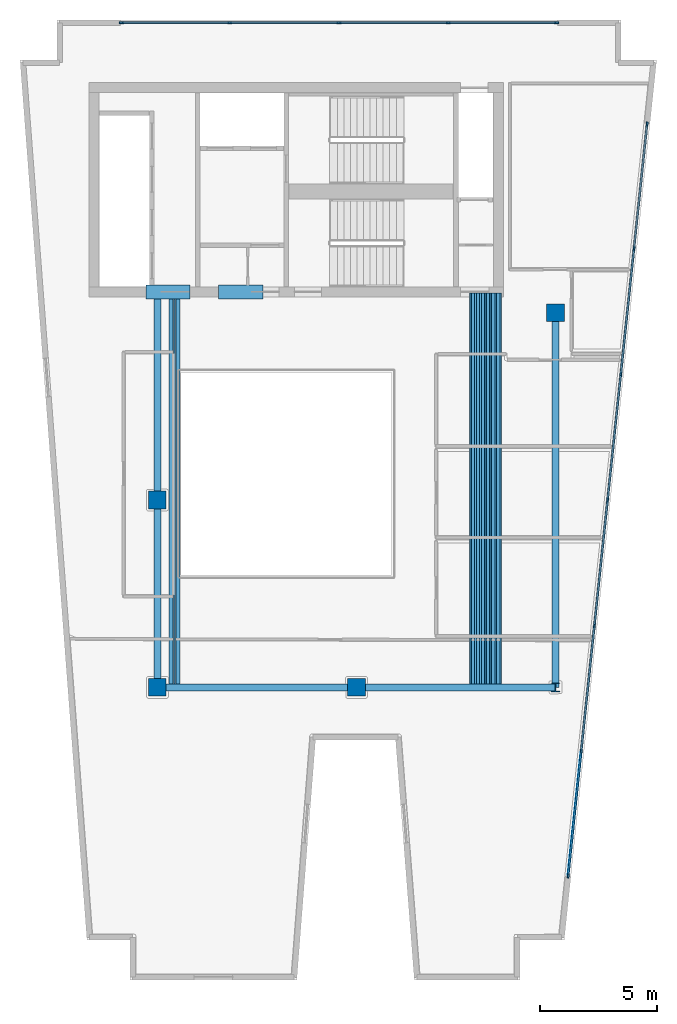
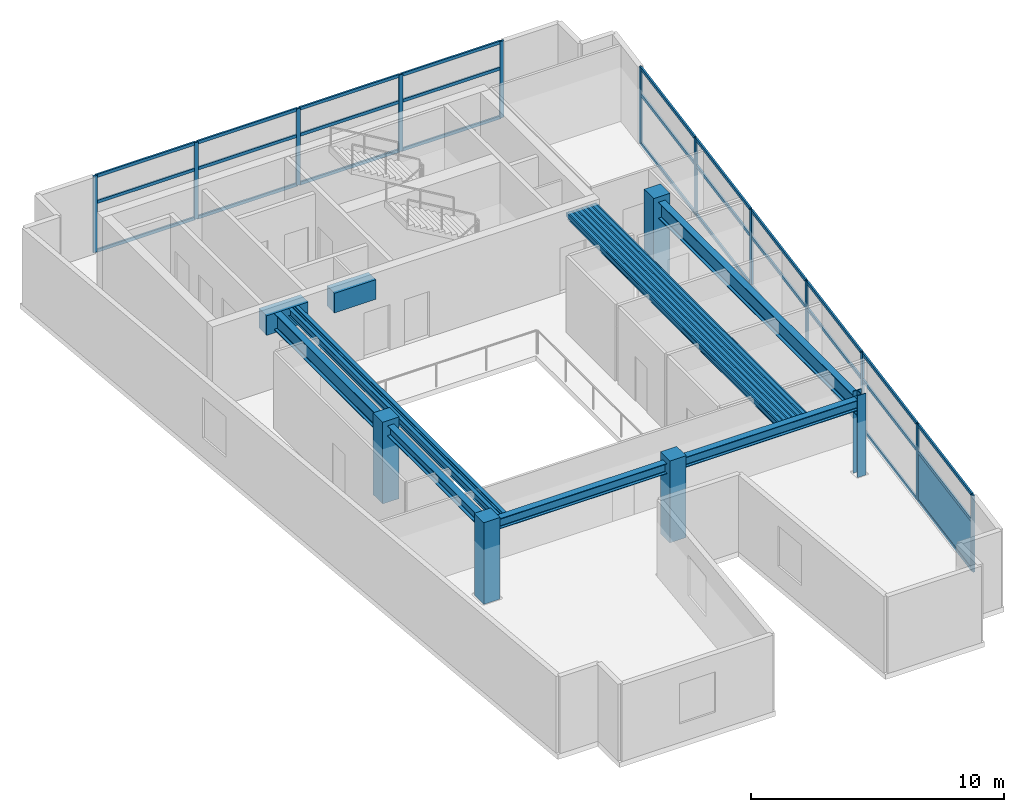
# One storey, part 1 of 6: 42 members, 23 beams, 5 columns, 1 plate, 2 elements without a shape of their own.
"""IFC4 building model written with IfcOpenShell, lengths in metres."""

import ifcopenshell
import ifcopenshell.guid

model = None  # the IFC model being written
_history = None  # IfcOwnerHistory: only IFC2X3 demands one
_inside = {}  # id of a spatial element -> (the spatial element, [elements in it])
_under = {}  # id of a project, library or spatial element -> (it, [spatial elements below it])
_declared = {}  # id of a project -> (the project, [libraries it declares])
_typed = {}  # id of a type object -> (the type object, [elements of that type])
_made_of = {}  # id of a material, layer set ... -> (it, [elements and type objects made of it])


def new_model(schema):
    """Start an empty IFC model of exactly this schema.

    Asked for "IFC4X3", IfcOpenShell would pick the latest addendum, in which some entities
    have other attributes; the version numbers below select the first issue.
    IFC2X3 requires an IfcOwnerHistory on every rooted entity: one is made here for all.
    """
    global model, _history
    if schema == "IFC4X3":
        model = ifcopenshell.file(schema_version=(4, 3, 0, 0))
    else:
        model = ifcopenshell.file(schema=schema)
    _inside.clear()
    _under.clear()
    _declared.clear()
    _typed.clear()
    _made_of.clear()
    _history = None
    if model.schema == "IFC2X3":
        org = make("IfcOrganization", Name="unknown")
        user = make(
            "IfcPersonAndOrganization",
            ThePerson=make("IfcPerson", FamilyName="unknown"),
            TheOrganization=org,
        )
        app = make(
            "IfcApplication",
            ApplicationDeveloper=org,
            Version="unknown",
            ApplicationFullName="unknown",
            ApplicationIdentifier="unknown",
        )
        _history = make(
            "IfcOwnerHistory",
            OwningUser=user,
            OwningApplication=app,
            ChangeAction="ADDED",
            CreationDate=0,
        )
    return model


def make(cls, **values):
    """One entity of the class cls with the attributes given. An attribute that is None is left unset."""
    return model.create_entity(
        cls, **{name: value for name, value in values.items() if value is not None}
    )


def rooted(cls, **values):
    """An entity with a GlobalId (a new one), such as an element, a storey or a relation."""
    return make(cls, GlobalId=ifcopenshell.guid.new(), OwnerHistory=_history, **values)


def si_unit(unit_type, name, prefix=None):
    """IfcSIUnit, for example si_unit("LENGTHUNIT", "METRE", prefix="MILLI")."""
    return make("IfcSIUnit", UnitType=unit_type, Prefix=prefix, Name=name)


def assignment(units):
    """IfcUnitAssignment: the units of a project."""
    return None if units is None else make("IfcUnitAssignment", Units=units)


def point(xyz):
    """IfcCartesianPoint."""
    return None if xyz is None else make("IfcCartesianPoint", Coordinates=xyz)


def direction(xyz):
    """IfcDirection."""
    return None if xyz is None else make("IfcDirection", DirectionRatios=xyz)


def frame(location, z_axis=None, x_axis=None):
    """IfcAxis2Placement3D, a coordinate frame: its origin and axes. An axis left out is left unset."""
    return make(
        "IfcAxis2Placement3D",
        Location=point(location),
        Axis=direction(z_axis),
        RefDirection=direction(x_axis),
    )


def frame_2d(location, x_axis=None):
    """IfcAxis2Placement2D, a coordinate frame in the plane: its origin and x axis."""
    return make(
        "IfcAxis2Placement2D", Location=point(location), RefDirection=direction(x_axis)
    )


def origin():
    """The frame at (0, 0, 0) with its axes left unset."""
    return frame((0.0, 0.0, 0.0))


def origin_2d():
    """The frame at (0, 0) in the plane with its x axis left unset."""
    return frame_2d((0.0, 0.0))


def place(relative_to, where):
    """IfcLocalPlacement: puts the frame where relative to a parent placement (None: the world)."""
    return make(
        "IfcLocalPlacement", PlacementRelTo=relative_to, RelativePlacement=where
    )


def context(
    kind, dimensions, precision=None, world=None, true_north=None, identifier=None
):
    """IfcGeometricRepresentationContext, for example the 3D "Model" context."""
    return make(
        "IfcGeometricRepresentationContext",
        ContextIdentifier=identifier,
        ContextType=kind,
        CoordinateSpaceDimension=dimensions,
        Precision=precision,
        WorldCoordinateSystem=world,
        TrueNorth=true_north,
    )


def subcontext(parent, identifier, kind, view, scale=None):
    """IfcGeometricRepresentationSubContext, for example "Body" below "Model"."""
    return make(
        "IfcGeometricRepresentationSubContext",
        ContextIdentifier=identifier,
        ContextType=kind,
        ParentContext=parent,
        TargetScale=scale,
        TargetView=view,
    )


def project(units=None, contexts=None):
    """IfcProject with its units and contexts."""
    return rooted(
        "IfcProject",
        Name="project",
        RepresentationContexts=contexts,
        UnitsInContext=assignment(units),
    )


def spatial(cls, under=None, at=None, **own):
    """A site, building, storey or space (cls), placed at a placement, below another one or the project."""
    s = rooted(cls, ObjectPlacement=at, **own)
    if under is not None:
        _under.setdefault(under.id(), (under, []))[1].append(s)
    return s


def profile(cls, at=None, kind="AREA", **sizes):
    """A parametric profile (cls). Its sizes go by their IFC names, for example OverallWidth=200.0."""
    return make(cls, ProfileType=kind, Position=at, **sizes)


def rectangle(**sizes):
    """IfcRectangleProfileDef."""
    return profile("IfcRectangleProfileDef", **sizes)


def hollow_rectangle(**sizes):
    """IfcRectangleHollowProfileDef."""
    return profile("IfcRectangleHollowProfileDef", **sizes)


def i_section(**sizes):
    """IfcIShapeProfileDef."""
    return profile("IfcIShapeProfileDef", **sizes)


def extrude(swept, where, along, depth):
    """IfcExtrudedAreaSolid: the profile swept, set in the frame where, extruded along a direction by depth."""
    return make(
        "IfcExtrudedAreaSolid",
        SweptArea=swept,
        Position=where,
        ExtrudedDirection=direction(along),
        Depth=depth,
    )


def shape(context_of_items, identifier, shape_type, items):
    """IfcShapeRepresentation: the items that make up one representation, for example the "Body"."""
    return make(
        "IfcShapeRepresentation",
        ContextOfItems=context_of_items,
        RepresentationIdentifier=identifier,
        RepresentationType=shape_type,
        Items=items,
    )


def material(Name=None, Category=None):
    """IfcMaterial."""
    return make("IfcMaterial", Name=Name, Category=Category)


def layer(
    of_material, thickness, ventilated=None, Name=None, Category=None, Priority=None
):
    """IfcMaterialLayer: one layer of a wall or slab, of a material (None: an air gap)."""
    return make(
        "IfcMaterialLayer",
        Material=of_material,
        LayerThickness=thickness,
        IsVentilated=ventilated,
        Name=Name,
        Category=Category,
        Priority=Priority,
    )


def layer_set(layers, Name=None):
    """IfcMaterialLayerSet."""
    return make("IfcMaterialLayerSet", MaterialLayers=layers, LayerSetName=Name)


def material_profile(
    of_material, cross_section, Name=None, Category=None, Priority=None
):
    """IfcMaterialProfile: a cross section and its material."""
    return make(
        "IfcMaterialProfile",
        Name=Name,
        Material=of_material,
        Profile=cross_section,
        Priority=Priority,
        Category=Category,
    )


def profile_set(profiles, Name=None, composite=None):
    """IfcMaterialProfileSet."""
    return make(
        "IfcMaterialProfileSet",
        Name=Name,
        MaterialProfiles=profiles,
        CompositeProfile=composite,
    )


def made_of(thing, what):
    """Note that an element or type object is made of a material, layer set ...; save() writes the relation."""
    if what is not None:
        _made_of.setdefault(what.id(), (what, []))[1].append(thing)
    return thing


def type_object(cls, material=None, **own):
    """A type object (cls), such as IfcWallType, which elements share."""
    return made_of(rooted(cls, **own), material)


def element(
    cls,
    number,
    at=None,
    inside=None,
    cuts=None,
    type_object=None,
    material=None,
    context=None,
    identifier="Body",
    shape_type=None,
    held_by="IfcProductDefinitionShape",
    body=None,
    shapes=None,
    **own,
):
    """One element of the class cls, such as IfcWall. Its Tag is "e" and its number.

    at: its placement. inside: the storey or other place that contains it. cuts: it is an
    opening in that element (IfcRelVoidsElement). A single representation is given by context,
    identifier, shape_type and body (its items); several are given by shapes. held_by: the class
    of the entity that holds the representations. save() writes the other relations.
    """
    e = rooted(cls, Tag="e%d" % number, ObjectPlacement=at, **own)
    if body is not None:
        shapes = [shape(context, identifier, shape_type, body)]
    if shapes is not None:
        e.Representation = make(held_by, Representations=shapes)
    if inside is not None:
        _inside.setdefault(inside.id(), (inside, []))[1].append(e)
    if cuts is not None:
        rooted(
            "IfcRelVoidsElement", RelatingBuildingElement=cuts, RelatedOpeningElement=e
        )
    if type_object is not None:
        _typed.setdefault(type_object.id(), (type_object, []))[1].append(e)
    return made_of(e, material)


def aggregate(whole, parts):
    """IfcRelAggregates: a whole, such as a stair, and the parts it consists of."""
    return rooted("IfcRelAggregates", RelatingObject=whole, RelatedObjects=parts)


def save(model, path):
    """Write the relations noted so far, then the file.

    IfcRelAggregates (storeys below a building ...), IfcRelContainedInSpatialStructure (elements
    in a storey), IfcRelDefinesByType, IfcRelAssociatesMaterial and IfcRelDeclares: one each for
    every whole, place, type object, material and project.
    """
    for whole, parts in _under.values():
        aggregate(whole, parts)
    for where, things in _inside.values():
        rooted(
            "IfcRelContainedInSpatialStructure",
            RelatedElements=things,
            RelatingStructure=where,
        )
    for kind, things in _typed.values():
        rooted("IfcRelDefinesByType", RelatedObjects=things, RelatingType=kind)
    for what, things in _made_of.values():
        rooted("IfcRelAssociatesMaterial", RelatedObjects=things, RelatingMaterial=what)
    for by, libraries in _declared.values():
        rooted("IfcRelDeclares", RelatingContext=by, RelatedDefinitions=libraries)
    model.write(path)


model = new_model("IFC4")

# Units and contexts
model_context = context("Model", 3, precision=1e-05, world=origin(), true_north=direction((0.0, 1.0)))
body_context = subcontext(model_context, "Body", "Model", "MODEL_VIEW")
ifc_project = project(units=[si_unit("LENGTHUNIT", "METRE"), si_unit("AREAUNIT", "SQUARE_METRE"), si_unit("VOLUMEUNIT", "CUBIC_METRE"), si_unit("PLANEANGLEUNIT", "RADIAN"), si_unit("MASSUNIT", "GRAM", prefix="KILO")], contexts=[model_context])

# Site, building, storey
site_placement = place(None, origin())
site = spatial("IfcSite", under=ifc_project, at=site_placement, CompositionType="ELEMENT")
building_placement = place(site_placement, origin())
building = spatial("IfcBuilding", under=site, at=building_placement, Name="Caeloran Harvest Quay", CompositionType="ELEMENT")
storey_placement = place(building_placement, frame((0.0, 0.0, 292.25)))
storey = spatial("IfcBuildingStorey", under=building, at=storey_placement, Name="L70", CompositionType="ELEMENT", Elevation=292.25)

# Columns
ifc_material_1 = material(Name="Concrete C60/75", Category="concrete")
ifc_material_profile_1 = material_profile(ifc_material_1, rectangle(XDim=0.75, YDim=0.75, at=origin_2d()), Name="RC 750x750")
ifc_profile_set_1 = profile_set([ifc_material_profile_1], Name="Concrete C60/75")
column_type_1 = type_object("IfcColumnType", Name="COL-MC-5-RC_750x750", PredefinedType="COLUMN", material=ifc_profile_set_1)
for number, where, z_axis, x_axis, name in (
    (1, (8.5, 15.0, 0.0), (0.0, 0.0, 1.0), (1.0, 0.0, 0.0), "L70 Structural Column (8.5, 15.0)"),
    (2, (8.5, 23.0, 0.0), (0.0, 0.0, 1.0), (1.0, 0.0, 0.0), "L70 Structural Column (8.5, 23.0)"),
    (3, (17.0, 15.0, 0.0), (0.0, 0.0, 1.0), (1.0, 0.0, 0.0), "L70 Structural Column (17.0, 15.0)"),
    (4, (25.5, 31.0, 0.0), (0.0, 0.0, 1.0), (1.0, 0.0, 0.0), "L70 Structural Column (25.5, 31.0)"),
):
    element("IfcColumn", number, at=place(storey_placement, frame(where, z_axis=z_axis, x_axis=x_axis)), inside=storey, type_object=column_type_1, Name=name, PredefinedType="COLUMN", context=body_context, shape_type="SweptSolid", body=[
        extrude(rectangle(XDim=0.75, YDim=0.75, at=origin_2d()), origin(), (0.0, 0.0, 1.0), 3.949951171875),
    ])
ifc_material_2 = material(Name="Steel S355J2", Category="steel")
ifc_material_profile_2 = material_profile(ifc_material_2, i_section(OverallWidth=0.3779296875, OverallDepth=0.386962890625, WebThickness=0.0224609375, FlangeThickness=0.03662109375, FilletRadius=0.014892578125, at=origin_2d()), Name="HD 360x262")
ifc_profile_set_2 = profile_set([ifc_material_profile_2], Name="Steel S355J2")
column_type_2 = type_object("IfcColumnType", Name="COL-SC-6-HD_360x262", PredefinedType="COLUMN", material=ifc_profile_set_2)
column_placement = place(storey_placement, frame((25.5, 15.0, 0.0), z_axis=(0.0, 0.0, 1.0), x_axis=(1.0, 0.0, 0.0)))
element("IfcColumn", 5, at=column_placement, inside=storey, type_object=column_type_2, Name="L70 Structural Column (25.5, 15.0)", PredefinedType="COLUMN", context=body_context, shape_type="SweptSolid", body=[
    extrude(i_section(OverallWidth=0.3779296875, OverallDepth=0.386962890625, WebThickness=0.0224609375, FlangeThickness=0.03662109375, FilletRadius=0.014892578125, at=origin_2d()), origin(), (0.0, 0.0, 1.0), 3.949951171875),
])

# Beams
ifc_material_profile_3 = material_profile(ifc_material_1, rectangle(XDim=0.60009765625, YDim=0.949951171875, at=origin_2d()), Name="RC 600x950")
ifc_profile_set_3 = profile_set([ifc_material_profile_3], Name="Concrete C60/75")
beam_type_1 = type_object("IfcBeamType", Name="BM-CB-2-RC_600x950", PredefinedType="LINTEL", material=ifc_profile_set_3)
for number, where, z_axis, x_axis, name in (
    (6, (8.0, 31.889892578125, 3.22509765625), (1.0, 0.0, 0.0), (0.0, 1.0, 0.0), "L70 Core Coupling Beam 1"),
    (7, (11.10009765625, 31.889892578125, 3.22509765625), (1.0, 0.0, 0.0), (0.0, 1.0, 0.0), "L70 Core Coupling Beam 2"),
):
    element("IfcBeam", number, at=place(storey_placement, frame(where, z_axis=z_axis, x_axis=x_axis)), inside=storey, type_object=beam_type_1, Name=name, PredefinedType="LINTEL", context=body_context, shape_type="SweptSolid", body=[
        extrude(rectangle(XDim=0.60009765625, YDim=0.949951171875, at=origin_2d()), origin(), (0.0, 0.0, 1.0), 1.89990234375),
    ])
ifc_material_profile_4 = material_profile(ifc_material_2, i_section(OverallWidth=0.300048828125, OverallDepth=0.800048828125, WebThickness=0.017578125, FlangeThickness=0.032958984375, FilletRadius=0.030029296875, at=origin_2d()), Name="HE 800 B")
ifc_profile_set_4 = profile_set([ifc_material_profile_4], Name="Steel S355J2")
beam_type_2 = type_object("IfcBeamType", Name="BM-PG-1-HE_800_B", PredefinedType="BEAM", material=ifc_profile_set_4)
beam_1_placement = place(storey_placement, frame((8.5, 23.0, 3.300048828125), z_axis=(0.0, 1.0, 0.0), x_axis=(-1.0, 0.0, 0.0)))
element("IfcBeam", 8, at=beam_1_placement, inside=storey, type_object=beam_type_2, Name="L70 Core South Tie Girder X=8.5", PredefinedType="BEAM", context=body_context, shape_type="SweptSolid", body=[
    extrude(i_section(OverallWidth=0.300048828125, OverallDepth=0.800048828125, WebThickness=0.017578125, FlangeThickness=0.032958984375, FilletRadius=0.030029296875, at=origin_2d()), origin(), (0.0, 0.0, 1.0), 8.840087890625),
])
beam_2_placement = place(storey_placement, frame((25.5, 15.0, 3.300048828125), z_axis=(0.0, 1.0, 0.0), x_axis=(-1.0, 0.0, 0.0)))
element("IfcBeam", 9, at=beam_2_placement, inside=storey, type_object=beam_type_2, Name="L70 Primary North-South Girder X=25.5", PredefinedType="BEAM", context=body_context, shape_type="SweptSolid", body=[
    extrude(i_section(OverallWidth=0.300048828125, OverallDepth=0.800048828125, WebThickness=0.017578125, FlangeThickness=0.032958984375, FilletRadius=0.030029296875, at=origin_2d()), origin(), (0.0, 0.0, 1.0), 16.0),
])
ifc_material_profile_5 = material_profile(ifc_material_2, i_section(OverallWidth=0.300048828125, OverallDepth=0.5, WebThickness=0.014404296875, FlangeThickness=0.028076171875, FilletRadius=0.027099609375, at=origin_2d()), Name="HE 500 B")
ifc_profile_set_5 = profile_set([ifc_material_profile_5], Name="Steel S355J2")
beam_type_3 = type_object("IfcBeamType", Name="BM-PG-4-HE_500_B", PredefinedType="BEAM", material=ifc_profile_set_5)
for number, where, z_axis, x_axis, name in (
    (10, (8.5, 15.0, 3.449951171875), (1.0, 0.0, 0.0), (0.0, 1.0, 0.0), "L70 Primary East-West Girder Y=15.0"),
    (11, (17.0, 15.0, 3.449951171875), (1.0, 0.0, 0.0), (0.0, 1.0, 0.0), "L70 Primary East-West Girder Y=15.0"),
):
    element("IfcBeam", number, at=place(storey_placement, frame(where, z_axis=z_axis, x_axis=x_axis)), inside=storey, type_object=beam_type_3, Name=name, PredefinedType="BEAM", context=body_context, shape_type="SweptSolid", body=[
        extrude(i_section(OverallWidth=0.300048828125, OverallDepth=0.5, WebThickness=0.014404296875, FlangeThickness=0.028076171875, FilletRadius=0.027099609375, at=origin_2d()), origin(), (0.0, 0.0, 1.0), 8.5),
    ])
beam_3_placement = place(storey_placement, frame((8.5, 15.0, 3.449951171875), z_axis=(0.0, 1.0, 0.0), x_axis=(-1.0, 0.0, 0.0)))
element("IfcBeam", 12, at=beam_3_placement, inside=storey, type_object=beam_type_3, Name="L70 Primary North-South Girder X=8.5", PredefinedType="BEAM", context=body_context, shape_type="SweptSolid", body=[
    extrude(i_section(OverallWidth=0.300048828125, OverallDepth=0.5, WebThickness=0.014404296875, FlangeThickness=0.028076171875, FilletRadius=0.027099609375, at=origin_2d()), origin(), (0.0, 0.0, 1.0), 8.0),
])
ifc_material_profile_6 = material_profile(ifc_material_2, i_section(OverallWidth=0.169921875, OverallDepth=0.360107421875, WebThickness=0.008056640625, FlangeThickness=0.0126953125, FilletRadius=0.01806640625, at=origin_2d()), Name="IPE 360")
ifc_profile_set_6 = profile_set([ifc_material_profile_6], Name="Steel S355J2")
beam_type_4 = type_object("IfcBeamType", Name="BM-SB-5-IPE_360", PredefinedType="JOIST", material=ifc_profile_set_6)
for number, where, z_axis, x_axis, name in (
    (13, (9.086181640625, 15.14501953125, 3.52001953125), (0.0, 1.0, 0.0), (-1.0, 0.0, 0.0), "L70 Secondary Composite Joist"),
    (14, (9.37939453125, 15.14501953125, 3.52001953125), (0.0, 1.0, 0.0), (-1.0, 0.0, 0.0), "L70 Secondary Composite Joist"),
    (15, (21.972900390625, 15.14501953125, 3.52001953125), (0.0, 1.0, 0.0), (-1.0, 0.0, 0.0), "L70 Secondary Composite Joist"),
    (16, (22.18896484375, 15.14501953125, 3.52001953125), (0.0, 1.0, 0.0), (-1.0, 0.0, 0.0), "L70 Secondary Composite Joist"),
    (17, (22.4052734375, 15.14501953125, 3.52001953125), (0.0, 1.0, 0.0), (-1.0, 0.0, 0.0), "L70 Secondary Composite Joist"),
    (18, (22.621337890625, 15.14501953125, 3.52001953125), (0.0, 1.0, 0.0), (-1.0, 0.0, 0.0), "L70 Secondary Composite Joist"),
    (19, (22.837646484375, 15.14501953125, 3.52001953125), (0.0, 1.0, 0.0), (-1.0, 0.0, 0.0), "L70 Secondary Composite Joist"),
    (20, (23.0537109375, 15.14501953125, 3.52001953125), (0.0, 1.0, 0.0), (-1.0, 0.0, 0.0), "L70 Secondary Composite Joist"),
):
    element("IfcBeam", number, at=place(storey_placement, frame(where, z_axis=z_axis, x_axis=x_axis)), inside=storey, type_object=beam_type_4, Name=name, PredefinedType="JOIST", context=body_context, shape_type="SweptSolid", body=[
        extrude(i_section(OverallWidth=0.169921875, OverallDepth=0.360107421875, WebThickness=0.008056640625, FlangeThickness=0.0126953125, FilletRadius=0.01806640625, at=origin_2d()), origin(), (0.0, 0.0, 1.0), 16.695068359375),
    ])
ifc_material_profile_7 = material_profile(ifc_material_2, hollow_rectangle(XDim=0.080078125, YDim=0.199951171875, WallThickness=0.006103515625, InnerFilletRadius=0.006103515625, OuterFilletRadius=0.009033203125, at=origin_2d()), Name="RHS 200x80x6")
ifc_profile_set_7 = profile_set([ifc_material_profile_7], Name="Steel S355J2")
beam_type_5 = type_object("IfcBeamType", Name="BM-SB-7-RHS_200x80x6", PredefinedType="JOIST", material=ifc_profile_set_7)
for number, where, z_axis, x_axis, name in (
    (21, (9.23291015625, 15.14501953125, 3.60009765625), (0.0, 1.0, 0.0), (-1.0, 0.0, 0.0), "L70 Secondary Composite Joist"),
    (22, (21.86474609375, 15.14501953125, 3.60009765625), (0.0, 1.0, 0.0), (-1.0, 0.0, 0.0), "L70 Secondary Composite Joist"),
    (23, (22.080810546875, 15.14501953125, 3.60009765625), (0.0, 1.0, 0.0), (-1.0, 0.0, 0.0), "L70 Secondary Composite Joist"),
    (24, (22.297119140625, 15.14501953125, 3.60009765625), (0.0, 1.0, 0.0), (-1.0, 0.0, 0.0), "L70 Secondary Composite Joist"),
    (25, (22.51318359375, 15.14501953125, 3.60009765625), (0.0, 1.0, 0.0), (-1.0, 0.0, 0.0), "L70 Secondary Composite Joist"),
    (26, (22.7294921875, 15.14501953125, 3.60009765625), (0.0, 1.0, 0.0), (-1.0, 0.0, 0.0), "L70 Secondary Composite Joist"),
    (27, (22.94580078125, 15.14501953125, 3.60009765625), (0.0, 1.0, 0.0), (-1.0, 0.0, 0.0), "L70 Secondary Composite Joist"),
    (28, (23.161865234375, 15.14501953125, 3.60009765625), (0.0, 1.0, 0.0), (-1.0, 0.0, 0.0), "L70 Secondary Composite Joist"),
):
    element("IfcBeam", number, at=place(storey_placement, frame(where, z_axis=z_axis, x_axis=x_axis)), inside=storey, type_object=beam_type_5, Name=name, PredefinedType="JOIST", context=body_context, shape_type="SweptSolid", body=[
        extrude(hollow_rectangle(XDim=0.080078125, YDim=0.199951171875, WallThickness=0.006103515625, InnerFilletRadius=0.006103515625, OuterFilletRadius=0.009033203125, at=origin_2d()), origin(), (0.0, 0.0, 1.0), 16.695068359375),
    ])

# Curtain wall, members
ifc_material_3 = material(Name="Aluminium 6063-T6 and Low-E Glazing", Category="aluminium")
ifc_layer_1 = layer(ifc_material_3, 0.219970703125, Name="Aluminium 6063-T6 and Low-E Glazing")
ifc_layer_set_1 = layer_set([ifc_layer_1], Name="Aluminium 6063-T6 and Low-E Glazing")
curtain_wall_type = type_object("IfcCurtainWallType", Name="CW-SYS-CW-5", PredefinedType="USERDEFINED", material=ifc_layer_set_1)
curtain_wall_1_placement = place(storey_placement, origin())
curtain_wall_1 = element("IfcCurtainWall", 29, at=curtain_wall_1_placement, inside=storey, type_object=curtain_wall_type, Name="L70 Unitised Curtain Wall CW-5 Run 6", ObjectType="CURTAIN_WALL", PredefinedType="USERDEFINED")
ifc_material_4 = material(Name="Aluminium 6063-T6", Category="aluminium")
ifc_material_profile_8 = material_profile(ifc_material_4, rectangle(XDim=0.080078125, YDim=0.179931640625, at=origin_2d()), Name="CW-MULLION-180")
ifc_profile_set_8 = profile_set([ifc_material_profile_8], Name="Aluminium 6063-T6")
member_type_1 = type_object("IfcMemberType", Name="CW-MULLION-180", PredefinedType="MULLION", material=ifc_profile_set_8)
member_1_placement = place(storey_placement, frame((6.9599609375, 43.3798828125, 0.0), z_axis=(0.0, 0.0, 1.0), x_axis=(0.0, 1.0, 0.0)))
member_1 = element("IfcMember", 30, at=member_1_placement, type_object=member_type_1, Name="CW-5 mullion 1", PredefinedType="MULLION", context=body_context, shape_type="SweptSolid", body=[
    extrude(rectangle(XDim=0.080078125, YDim=0.179931640625, at=origin_2d()), origin(), (0.0, 0.0, 1.0), 3.699951171875),
])
member_2_placement = place(storey_placement, frame((11.5849609375, 43.3798828125, 0.0), z_axis=(0.0, 0.0, 1.0), x_axis=(0.0, 1.0, 0.0)))
member_2 = element("IfcMember", 31, at=member_2_placement, type_object=member_type_1, Name="CW-5 mullion 2", PredefinedType="MULLION", context=body_context, shape_type="SweptSolid", body=[
    extrude(rectangle(XDim=0.080078125, YDim=0.179931640625, at=origin_2d()), origin(), (0.0, 0.0, 1.0), 3.699951171875),
])
member_3_placement = place(storey_placement, frame((16.25, 43.3798828125, 0.0), z_axis=(0.0, 0.0, 1.0), x_axis=(0.0, 1.0, 0.0)))
member_3 = element("IfcMember", 32, at=member_3_placement, type_object=member_type_1, Name="CW-5 mullion 3", PredefinedType="MULLION", context=body_context, shape_type="SweptSolid", body=[
    extrude(rectangle(XDim=0.080078125, YDim=0.179931640625, at=origin_2d()), origin(), (0.0, 0.0, 1.0), 3.699951171875),
])
member_4_placement = place(storey_placement, frame((20.9150390625, 43.3798828125, 0.0), z_axis=(0.0, 0.0, 1.0), x_axis=(0.0, 1.0, 0.0)))
member_4 = element("IfcMember", 33, at=member_4_placement, type_object=member_type_1, Name="CW-5 mullion 4", PredefinedType="MULLION", context=body_context, shape_type="SweptSolid", body=[
    extrude(rectangle(XDim=0.080078125, YDim=0.179931640625, at=origin_2d()), origin(), (0.0, 0.0, 1.0), 3.699951171875),
])
member_5_placement = place(storey_placement, frame((25.5400390625, 43.3798828125, 0.0), z_axis=(0.0, 0.0, 1.0), x_axis=(0.0, 1.0, 0.0)))
member_5 = element("IfcMember", 34, at=member_5_placement, type_object=member_type_1, Name="CW-5 mullion 5", PredefinedType="MULLION", context=body_context, shape_type="SweptSolid", body=[
    extrude(rectangle(XDim=0.080078125, YDim=0.179931640625, at=origin_2d()), origin(), (0.0, 0.0, 1.0), 3.699951171875),
])

curtain_wall_2_placement = place(storey_placement, origin())
curtain_wall_2 = element("IfcCurtainWall", 35, at=curtain_wall_2_placement, inside=storey, type_object=curtain_wall_type, Name="L70 Unitised Curtain Wall CW-5 Run 9", ObjectType="CURTAIN_WALL", PredefinedType="USERDEFINED")
member_6_placement = place(storey_placement, frame((29.412353515625, 39.054443359375, 0.0), z_axis=(0.0, 0.0, 1.0), x_axis=(0.994529078655, -0.104460096251, 0.0)))
member_6 = element("IfcMember", 36, at=member_6_placement, type_object=member_type_1, Name="CW-5 mullion 1", PredefinedType="MULLION", context=body_context, shape_type="SweptSolid", body=[
    extrude(rectangle(XDim=0.080078125, YDim=0.179931640625, at=origin_2d()), origin(), (0.0, 0.0, 1.0), 3.699951171875),
])
member_7_placement = place(storey_placement, frame((28.85302734375, 33.7294921875, 0.0), z_axis=(0.0, 0.0, 1.0), x_axis=(0.994529078655, -0.104460096251, 0.0)))
member_7 = element("IfcMember", 37, at=member_7_placement, type_object=member_type_1, Name="CW-5 mullion 2", PredefinedType="MULLION", context=body_context, shape_type="SweptSolid", body=[
    extrude(rectangle(XDim=0.080078125, YDim=0.179931640625, at=origin_2d()), origin(), (0.0, 0.0, 1.0), 3.699951171875),
])
member_8_placement = place(storey_placement, frame((28.28955078125, 28.36474609375, 0.0), z_axis=(0.0, 0.0, 1.0), x_axis=(0.994529078655, -0.104460096251, 0.0)))
member_8 = element("IfcMember", 38, at=member_8_placement, type_object=member_type_1, Name="CW-5 mullion 3", PredefinedType="MULLION", context=body_context, shape_type="SweptSolid", body=[
    extrude(rectangle(XDim=0.080078125, YDim=0.179931640625, at=origin_2d()), origin(), (0.0, 0.0, 1.0), 3.699951171875),
])
member_9_placement = place(storey_placement, frame((27.72607421875, 23.0, 0.0), z_axis=(0.0, 0.0, 1.0), x_axis=(0.994529078655, -0.104460096251, 0.0)))
member_9 = element("IfcMember", 39, at=member_9_placement, type_object=member_type_1, Name="CW-5 mullion 4", PredefinedType="MULLION", context=body_context, shape_type="SweptSolid", body=[
    extrude(rectangle(XDim=0.080078125, YDim=0.179931640625, at=origin_2d()), origin(), (0.0, 0.0, 1.0), 3.699951171875),
])
member_10_placement = place(storey_placement, frame((27.16259765625, 17.63525390625, 0.0), z_axis=(0.0, 0.0, 1.0), x_axis=(0.994529078655, -0.104460096251, 0.0)))
member_10 = element("IfcMember", 40, at=member_10_placement, type_object=member_type_1, Name="CW-5 mullion 5", PredefinedType="MULLION", context=body_context, shape_type="SweptSolid", body=[
    extrude(rectangle(XDim=0.080078125, YDim=0.179931640625, at=origin_2d()), origin(), (0.0, 0.0, 1.0), 3.699951171875),
])
member_11_placement = place(storey_placement, frame((26.59912109375, 12.2705078125, 0.0), z_axis=(0.0, 0.0, 1.0), x_axis=(0.994529078655, -0.104460096251, 0.0)))
member_11 = element("IfcMember", 41, at=member_11_placement, type_object=member_type_1, Name="CW-5 mullion 6", PredefinedType="MULLION", context=body_context, shape_type="SweptSolid", body=[
    extrude(rectangle(XDim=0.080078125, YDim=0.179931640625, at=origin_2d()), origin(), (0.0, 0.0, 1.0), 3.699951171875),
])
member_12_placement = place(storey_placement, frame((26.039794921875, 6.945556640625, 0.0), z_axis=(0.0, 0.0, 1.0), x_axis=(0.994529078655, -0.104460096251, 0.0)))
member_12 = element("IfcMember", 42, at=member_12_placement, type_object=member_type_1, Name="CW-5 mullion 7", PredefinedType="MULLION", context=body_context, shape_type="SweptSolid", body=[
    extrude(rectangle(XDim=0.080078125, YDim=0.179931640625, at=origin_2d()), origin(), (0.0, 0.0, 1.0), 3.699951171875),
])

# Member
ifc_material_profile_9 = material_profile(ifc_material_4, rectangle(XDim=0.080078125, YDim=0.14990234375, at=origin_2d()), Name="CW-TRANSOM-150")
ifc_profile_set_9 = profile_set([ifc_material_profile_9], Name="Aluminium 6063-T6")
member_type_2 = type_object("IfcMemberType", Name="CW-TRANSOM-150", PredefinedType="USERDEFINED", material=ifc_profile_set_9)
member_13_placement = place(storey_placement, frame((7.0, 43.3798828125, 0.0400390625), z_axis=(1.0, 0.0, 0.0), x_axis=(0.0, 1.0, 0.0)))
member_13 = element("IfcMember", 43, at=member_13_placement, type_object=member_type_2, Name="CW-5 transom 1.1", ObjectType="TRANSOM", PredefinedType="USERDEFINED", context=body_context, shape_type="SweptSolid", body=[
    extrude(rectangle(XDim=0.080078125, YDim=0.14990234375, at=origin_2d()), origin(), (0.0, 0.0, 1.0), 4.544921875),
])

member_14_placement = place(storey_placement, frame((7.0, 43.3798828125, 2.39990234375), z_axis=(1.0, 0.0, 0.0), x_axis=(0.0, 1.0, 0.0)))
member_14 = element("IfcMember", 44, at=member_14_placement, type_object=member_type_2, Name="CW-5 transom 1.2", ObjectType="TRANSOM", PredefinedType="USERDEFINED", context=body_context, shape_type="SweptSolid", body=[
    extrude(rectangle(XDim=0.080078125, YDim=0.14990234375, at=origin_2d()), origin(), (0.0, 0.0, 1.0), 4.544921875),
])

member_15_placement = place(storey_placement, frame((7.0, 43.3798828125, 3.659912109375), z_axis=(1.0, 0.0, 0.0), x_axis=(0.0, 1.0, 0.0)))
member_15 = element("IfcMember", 45, at=member_15_placement, type_object=member_type_2, Name="CW-5 transom 1.3", ObjectType="TRANSOM", PredefinedType="USERDEFINED", context=body_context, shape_type="SweptSolid", body=[
    extrude(rectangle(XDim=0.080078125, YDim=0.14990234375, at=origin_2d()), origin(), (0.0, 0.0, 1.0), 4.544921875),
])

member_16_placement = place(storey_placement, frame((11.625, 43.3798828125, 0.0400390625), z_axis=(1.0, 0.0, 0.0), x_axis=(0.0, 1.0, 0.0)))
member_16 = element("IfcMember", 46, at=member_16_placement, type_object=member_type_2, Name="CW-5 transom 2.1", ObjectType="TRANSOM", PredefinedType="USERDEFINED", context=body_context, shape_type="SweptSolid", body=[
    extrude(rectangle(XDim=0.080078125, YDim=0.14990234375, at=origin_2d()), origin(), (0.0, 0.0, 1.0), 4.5849609375),
])

member_17_placement = place(storey_placement, frame((11.625, 43.3798828125, 2.39990234375), z_axis=(1.0, 0.0, 0.0), x_axis=(0.0, 1.0, 0.0)))
member_17 = element("IfcMember", 47, at=member_17_placement, type_object=member_type_2, Name="CW-5 transom 2.2", ObjectType="TRANSOM", PredefinedType="USERDEFINED", context=body_context, shape_type="SweptSolid", body=[
    extrude(rectangle(XDim=0.080078125, YDim=0.14990234375, at=origin_2d()), origin(), (0.0, 0.0, 1.0), 4.5849609375),
])

member_18_placement = place(storey_placement, frame((11.625, 43.3798828125, 3.659912109375), z_axis=(1.0, 0.0, 0.0), x_axis=(0.0, 1.0, 0.0)))
member_18 = element("IfcMember", 48, at=member_18_placement, type_object=member_type_2, Name="CW-5 transom 2.3", ObjectType="TRANSOM", PredefinedType="USERDEFINED", context=body_context, shape_type="SweptSolid", body=[
    extrude(rectangle(XDim=0.080078125, YDim=0.14990234375, at=origin_2d()), origin(), (0.0, 0.0, 1.0), 4.5849609375),
])

member_19_placement = place(storey_placement, frame((16.2900390625, 43.3798828125, 0.0400390625), z_axis=(1.0, 0.0, 0.0), x_axis=(0.0, 1.0, 0.0)))
member_19 = element("IfcMember", 49, at=member_19_placement, type_object=member_type_2, Name="CW-5 transom 3.1", ObjectType="TRANSOM", PredefinedType="USERDEFINED", context=body_context, shape_type="SweptSolid", body=[
    extrude(rectangle(XDim=0.080078125, YDim=0.14990234375, at=origin_2d()), origin(), (0.0, 0.0, 1.0), 4.5849609375),
])

member_20_placement = place(storey_placement, frame((16.2900390625, 43.3798828125, 2.39990234375), z_axis=(1.0, 0.0, 0.0), x_axis=(0.0, 1.0, 0.0)))
member_20 = element("IfcMember", 50, at=member_20_placement, type_object=member_type_2, Name="CW-5 transom 3.2", ObjectType="TRANSOM", PredefinedType="USERDEFINED", context=body_context, shape_type="SweptSolid", body=[
    extrude(rectangle(XDim=0.080078125, YDim=0.14990234375, at=origin_2d()), origin(), (0.0, 0.0, 1.0), 4.5849609375),
])

member_21_placement = place(storey_placement, frame((16.2900390625, 43.3798828125, 3.659912109375), z_axis=(1.0, 0.0, 0.0), x_axis=(0.0, 1.0, 0.0)))
member_21 = element("IfcMember", 51, at=member_21_placement, type_object=member_type_2, Name="CW-5 transom 3.3", ObjectType="TRANSOM", PredefinedType="USERDEFINED", context=body_context, shape_type="SweptSolid", body=[
    extrude(rectangle(XDim=0.080078125, YDim=0.14990234375, at=origin_2d()), origin(), (0.0, 0.0, 1.0), 4.5849609375),
])

member_22_placement = place(storey_placement, frame((20.955078125, 43.3798828125, 0.0400390625), z_axis=(1.0, 0.0, 0.0), x_axis=(0.0, 1.0, 0.0)))
member_22 = element("IfcMember", 52, at=member_22_placement, type_object=member_type_2, Name="CW-5 transom 4.1", ObjectType="TRANSOM", PredefinedType="USERDEFINED", context=body_context, shape_type="SweptSolid", body=[
    extrude(rectangle(XDim=0.080078125, YDim=0.14990234375, at=origin_2d()), origin(), (0.0, 0.0, 1.0), 4.544921875),
])

member_23_placement = place(storey_placement, frame((20.955078125, 43.3798828125, 2.39990234375), z_axis=(1.0, 0.0, 0.0), x_axis=(0.0, 1.0, 0.0)))
member_23 = element("IfcMember", 53, at=member_23_placement, type_object=member_type_2, Name="CW-5 transom 4.2", ObjectType="TRANSOM", PredefinedType="USERDEFINED", context=body_context, shape_type="SweptSolid", body=[
    extrude(rectangle(XDim=0.080078125, YDim=0.14990234375, at=origin_2d()), origin(), (0.0, 0.0, 1.0), 4.544921875),
])

member_24_placement = place(storey_placement, frame((20.955078125, 43.3798828125, 3.659912109375), z_axis=(1.0, 0.0, 0.0), x_axis=(0.0, 1.0, 0.0)))
member_24 = element("IfcMember", 54, at=member_24_placement, type_object=member_type_2, Name="CW-5 transom 4.3", ObjectType="TRANSOM", PredefinedType="USERDEFINED", context=body_context, shape_type="SweptSolid", body=[
    extrude(rectangle(XDim=0.080078125, YDim=0.14990234375, at=origin_2d()), origin(), (0.0, 0.0, 1.0), 4.544921875),
])

aggregate(curtain_wall_1, [member_1, member_2, member_3, member_4, member_5, member_13, member_14, member_15, member_16, member_17, member_18, member_19, member_20, member_21, member_22, member_23, member_24])

member_25_placement = place(storey_placement, frame((29.408203125, 39.0146484375, 0.0400390625), z_axis=(-0.104475148335, -0.994527497549, 0.0), x_axis=(0.994527497549, -0.104475148335, 0.0)))
member_25 = element("IfcMember", 55, at=member_25_placement, type_object=member_type_2, Name="CW-5 transom 1.1", ObjectType="TRANSOM", PredefinedType="USERDEFINED", context=body_context, shape_type="SweptSolid", body=[
    extrude(rectangle(XDim=0.080078125, YDim=0.14990234375, at=origin_2d()), origin(), (0.0, 0.0, 1.0), 5.274169921875),
])

member_26_placement = place(storey_placement, frame((29.408203125, 39.0146484375, 2.39990234375), z_axis=(-0.104475148335, -0.994527497549, 0.0), x_axis=(0.994527497549, -0.104475148335, 0.0)))
member_26 = element("IfcMember", 56, at=member_26_placement, type_object=member_type_2, Name="CW-5 transom 1.2", ObjectType="TRANSOM", PredefinedType="USERDEFINED", context=body_context, shape_type="SweptSolid", body=[
    extrude(rectangle(XDim=0.080078125, YDim=0.14990234375, at=origin_2d()), origin(), (0.0, 0.0, 1.0), 5.274169921875),
])

member_27_placement = place(storey_placement, frame((29.408203125, 39.0146484375, 3.659912109375), z_axis=(-0.104475148335, -0.994527497549, 0.0), x_axis=(0.994527497549, -0.104475148335, 0.0)))
member_27 = element("IfcMember", 57, at=member_27_placement, type_object=member_type_2, Name="CW-5 transom 1.3", ObjectType="TRANSOM", PredefinedType="USERDEFINED", context=body_context, shape_type="SweptSolid", body=[
    extrude(rectangle(XDim=0.080078125, YDim=0.14990234375, at=origin_2d()), origin(), (0.0, 0.0, 1.0), 5.274169921875),
])

member_28_placement = place(storey_placement, frame((28.848876953125, 33.689697265625, 0.0400390625), z_axis=(-0.104469552209, -0.994528085406, 0.0), x_axis=(0.994528085406, -0.104469552209, 0.0)))
member_28 = element("IfcMember", 58, at=member_28_placement, type_object=member_type_2, Name="CW-5 transom 2.1", ObjectType="TRANSOM", PredefinedType="USERDEFINED", context=body_context, shape_type="SweptSolid", body=[
    extrude(rectangle(XDim=0.080078125, YDim=0.14990234375, at=origin_2d()), origin(), (0.0, 0.0, 1.0), 5.314208984375),
])

member_29_placement = place(storey_placement, frame((28.848876953125, 33.689697265625, 2.39990234375), z_axis=(-0.104469552209, -0.994528085406, 0.0), x_axis=(0.994528085406, -0.104469552209, 0.0)))
member_29 = element("IfcMember", 59, at=member_29_placement, type_object=member_type_2, Name="CW-5 transom 2.2", ObjectType="TRANSOM", PredefinedType="USERDEFINED", context=body_context, shape_type="SweptSolid", body=[
    extrude(rectangle(XDim=0.080078125, YDim=0.14990234375, at=origin_2d()), origin(), (0.0, 0.0, 1.0), 5.314208984375),
])

member_30_placement = place(storey_placement, frame((28.848876953125, 33.689697265625, 3.659912109375), z_axis=(-0.104469552209, -0.994528085406, 0.0), x_axis=(0.994528085406, -0.104469552209, 0.0)))
member_30 = element("IfcMember", 60, at=member_30_placement, type_object=member_type_2, Name="CW-5 transom 2.3", ObjectType="TRANSOM", PredefinedType="USERDEFINED", context=body_context, shape_type="SweptSolid", body=[
    extrude(rectangle(XDim=0.080078125, YDim=0.14990234375, at=origin_2d()), origin(), (0.0, 0.0, 1.0), 5.314208984375),
])

member_31_placement = place(storey_placement, frame((28.285400390625, 28.324951171875, 0.0400390625), z_axis=(-0.104469552209, -0.994528085406, 0.0), x_axis=(0.994528085406, -0.104469552209, 0.0)))
member_31 = element("IfcMember", 61, at=member_31_placement, type_object=member_type_2, Name="CW-5 transom 3.1", ObjectType="TRANSOM", PredefinedType="USERDEFINED", context=body_context, shape_type="SweptSolid", body=[
    extrude(rectangle(XDim=0.080078125, YDim=0.14990234375, at=origin_2d()), origin(), (0.0, 0.0, 1.0), 5.314208984375),
])

member_32_placement = place(storey_placement, frame((28.285400390625, 28.324951171875, 2.39990234375), z_axis=(-0.104469552209, -0.994528085406, 0.0), x_axis=(0.994528085406, -0.104469552209, 0.0)))
member_32 = element("IfcMember", 62, at=member_32_placement, type_object=member_type_2, Name="CW-5 transom 3.2", ObjectType="TRANSOM", PredefinedType="USERDEFINED", context=body_context, shape_type="SweptSolid", body=[
    extrude(rectangle(XDim=0.080078125, YDim=0.14990234375, at=origin_2d()), origin(), (0.0, 0.0, 1.0), 5.314208984375),
])

member_33_placement = place(storey_placement, frame((28.285400390625, 28.324951171875, 3.659912109375), z_axis=(-0.104469552209, -0.994528085406, 0.0), x_axis=(0.994528085406, -0.104469552209, 0.0)))
member_33 = element("IfcMember", 63, at=member_33_placement, type_object=member_type_2, Name="CW-5 transom 3.3", ObjectType="TRANSOM", PredefinedType="USERDEFINED", context=body_context, shape_type="SweptSolid", body=[
    extrude(rectangle(XDim=0.080078125, YDim=0.14990234375, at=origin_2d()), origin(), (0.0, 0.0, 1.0), 5.314208984375),
])

member_34_placement = place(storey_placement, frame((27.721923828125, 22.960205078125, 0.0400390625), z_axis=(-0.104469552209, -0.994528085406, 0.0), x_axis=(0.994528085406, -0.104469552209, 0.0)))
member_34 = element("IfcMember", 64, at=member_34_placement, type_object=member_type_2, Name="CW-5 transom 4.1", ObjectType="TRANSOM", PredefinedType="USERDEFINED", context=body_context, shape_type="SweptSolid", body=[
    extrude(rectangle(XDim=0.080078125, YDim=0.14990234375, at=origin_2d()), origin(), (0.0, 0.0, 1.0), 5.314208984375),
])

member_35_placement = place(storey_placement, frame((27.721923828125, 22.960205078125, 2.39990234375), z_axis=(-0.104469552209, -0.994528085406, 0.0), x_axis=(0.994528085406, -0.104469552209, 0.0)))
member_35 = element("IfcMember", 65, at=member_35_placement, type_object=member_type_2, Name="CW-5 transom 4.2", ObjectType="TRANSOM", PredefinedType="USERDEFINED", context=body_context, shape_type="SweptSolid", body=[
    extrude(rectangle(XDim=0.080078125, YDim=0.14990234375, at=origin_2d()), origin(), (0.0, 0.0, 1.0), 5.314208984375),
])

member_36_placement = place(storey_placement, frame((27.721923828125, 22.960205078125, 3.659912109375), z_axis=(-0.104469552209, -0.994528085406, 0.0), x_axis=(0.994528085406, -0.104469552209, 0.0)))
member_36 = element("IfcMember", 66, at=member_36_placement, type_object=member_type_2, Name="CW-5 transom 4.3", ObjectType="TRANSOM", PredefinedType="USERDEFINED", context=body_context, shape_type="SweptSolid", body=[
    extrude(rectangle(XDim=0.080078125, YDim=0.14990234375, at=origin_2d()), origin(), (0.0, 0.0, 1.0), 5.314208984375),
])

member_37_placement = place(storey_placement, frame((27.158447265625, 17.595458984375, 0.0400390625), z_axis=(-0.104469552209, -0.994528085406, 0.0), x_axis=(0.994528085406, -0.104469552209, 0.0)))
member_37 = element("IfcMember", 67, at=member_37_placement, type_object=member_type_2, Name="CW-5 transom 5.1", ObjectType="TRANSOM", PredefinedType="USERDEFINED", context=body_context, shape_type="SweptSolid", body=[
    extrude(rectangle(XDim=0.080078125, YDim=0.14990234375, at=origin_2d()), origin(), (0.0, 0.0, 1.0), 5.314208984375),
])

member_38_placement = place(storey_placement, frame((27.158447265625, 17.595458984375, 2.39990234375), z_axis=(-0.104469552209, -0.994528085406, 0.0), x_axis=(0.994528085406, -0.104469552209, 0.0)))
member_38 = element("IfcMember", 68, at=member_38_placement, type_object=member_type_2, Name="CW-5 transom 5.2", ObjectType="TRANSOM", PredefinedType="USERDEFINED", context=body_context, shape_type="SweptSolid", body=[
    extrude(rectangle(XDim=0.080078125, YDim=0.14990234375, at=origin_2d()), origin(), (0.0, 0.0, 1.0), 5.314208984375),
])

member_39_placement = place(storey_placement, frame((27.158447265625, 17.595458984375, 3.659912109375), z_axis=(-0.104469552209, -0.994528085406, 0.0), x_axis=(0.994528085406, -0.104469552209, 0.0)))
member_39 = element("IfcMember", 69, at=member_39_placement, type_object=member_type_2, Name="CW-5 transom 5.3", ObjectType="TRANSOM", PredefinedType="USERDEFINED", context=body_context, shape_type="SweptSolid", body=[
    extrude(rectangle(XDim=0.080078125, YDim=0.14990234375, at=origin_2d()), origin(), (0.0, 0.0, 1.0), 5.314208984375),
])

member_40_placement = place(storey_placement, frame((26.594970703125, 12.230712890625, 0.0400390625), z_axis=(-0.104475148335, -0.994527497549, 0.0), x_axis=(0.994527497549, -0.104475148335, 0.0)))
member_40 = element("IfcMember", 70, at=member_40_placement, type_object=member_type_2, Name="CW-5 transom 6.1", ObjectType="TRANSOM", PredefinedType="USERDEFINED", context=body_context, shape_type="SweptSolid", body=[
    extrude(rectangle(XDim=0.080078125, YDim=0.14990234375, at=origin_2d()), origin(), (0.0, 0.0, 1.0), 5.274169921875),
])

member_41_placement = place(storey_placement, frame((26.594970703125, 12.230712890625, 2.39990234375), z_axis=(-0.104475148335, -0.994527497549, 0.0), x_axis=(0.994527497549, -0.104475148335, 0.0)))
member_41 = element("IfcMember", 71, at=member_41_placement, type_object=member_type_2, Name="CW-5 transom 6.2", ObjectType="TRANSOM", PredefinedType="USERDEFINED", context=body_context, shape_type="SweptSolid", body=[
    extrude(rectangle(XDim=0.080078125, YDim=0.14990234375, at=origin_2d()), origin(), (0.0, 0.0, 1.0), 5.274169921875),
])

member_42_placement = place(storey_placement, frame((26.594970703125, 12.230712890625, 3.659912109375), z_axis=(-0.104475148335, -0.994527497549, 0.0), x_axis=(0.994527497549, -0.104475148335, 0.0)))
member_42 = element("IfcMember", 72, at=member_42_placement, type_object=member_type_2, Name="CW-5 transom 6.3", ObjectType="TRANSOM", PredefinedType="USERDEFINED", context=body_context, shape_type="SweptSolid", body=[
    extrude(rectangle(XDim=0.080078125, YDim=0.14990234375, at=origin_2d()), origin(), (0.0, 0.0, 1.0), 5.274169921875),
])

# Plate
ifc_material_5 = material(Name="Low-E Double Glazed Vision Glass Unit", Category="glass")
ifc_layer_2 = layer(ifc_material_5, 0.035888671875, Name="Low-E Double Glazed Vision Glass Unit")
ifc_layer_set_2 = layer_set([ifc_layer_2], Name="Low-E Double Glazed Vision Glass Unit")
plate_type = type_object("IfcPlateType", Name="CW-VISION-PANEL", PredefinedType="CURTAIN_PANEL", material=ifc_layer_set_2)
plate_placement = place(storey_placement, frame((26.3193359375, 9.608154296875, 0.080078125), z_axis=(0.0, 0.0, 1.0), x_axis=(-0.104460096251, -0.994529078655, 0.0)))
plate = element("IfcPlate", 73, at=plate_placement, type_object=plate_type, Name="CW-5 panel 6.1", PredefinedType="CURTAIN_PANEL", context=body_context, shape_type="SweptSolid", body=[
    extrude(rectangle(XDim=5.274169921875, YDim=0.035888671875, at=origin_2d()), origin(), (0.0, 0.0, 1.0), 2.280029296875),
])

aggregate(curtain_wall_2, [member_6, member_7, member_8, member_9, member_10, member_11, member_12, member_25, member_26, member_27, member_28, member_29, member_30, member_31, member_32, member_33, member_34, member_35, member_36, member_37, member_38, member_39, member_40, member_41, member_42, plate])

save(model, "model.ifc")
